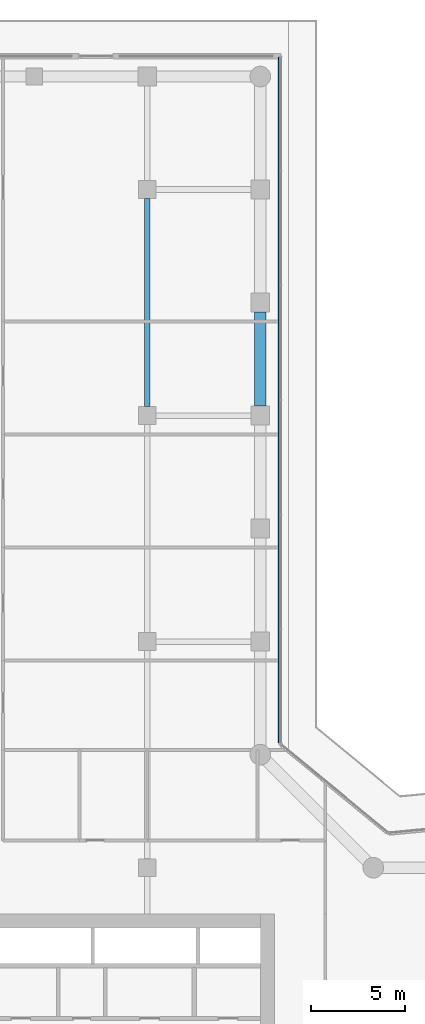
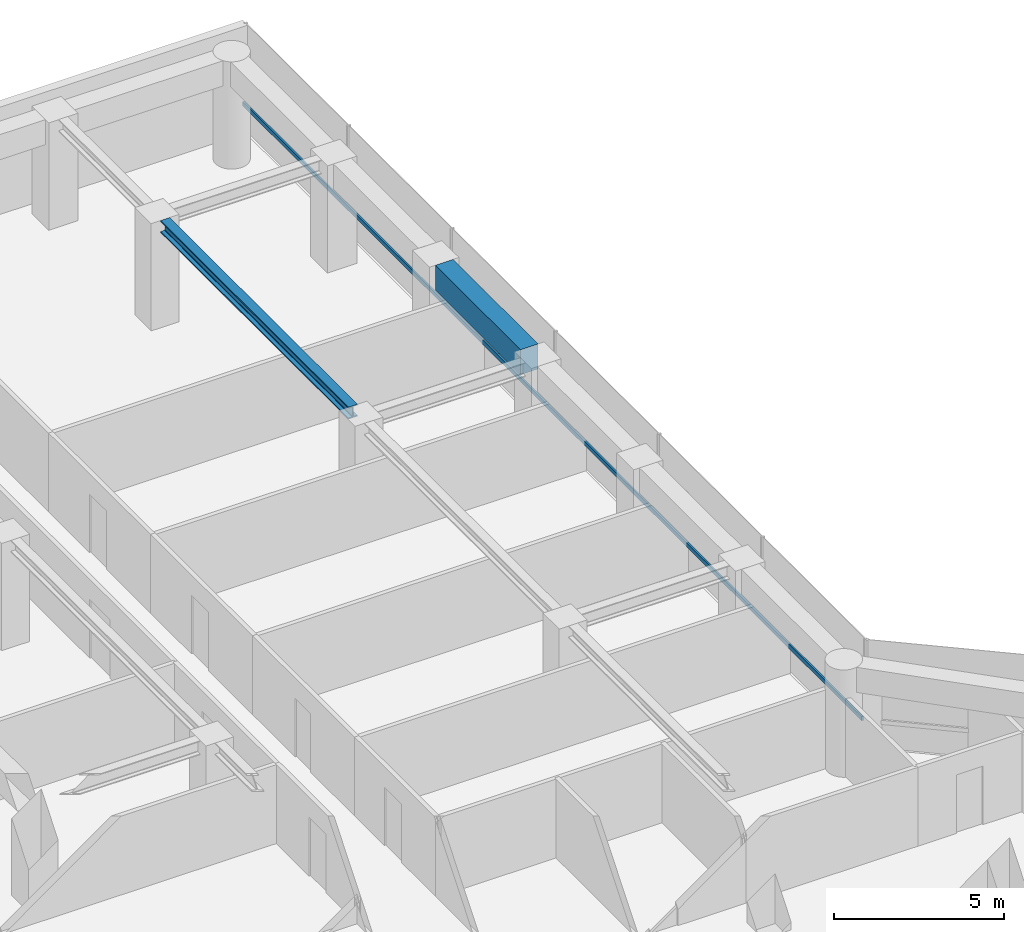
# One storey, part 16 of 28: 2 beams, 1 member, 1 element without a shape of its own.
"""IFC4 building model written with IfcOpenShell, lengths in metres."""

import ifcopenshell
import ifcopenshell.guid

model = None  # the IFC model being written
_history = None  # IfcOwnerHistory: only IFC2X3 demands one
_inside = {}  # id of a spatial element -> (the spatial element, [elements in it])
_under = {}  # id of a project, library or spatial element -> (it, [spatial elements below it])
_declared = {}  # id of a project -> (the project, [libraries it declares])
_typed = {}  # id of a type object -> (the type object, [elements of that type])
_made_of = {}  # id of a material, layer set ... -> (it, [elements and type objects made of it])


def new_model(schema):
    """Start an empty IFC model of exactly this schema.

    Asked for "IFC4X3", IfcOpenShell would pick the latest addendum, in which some entities
    have other attributes; the version numbers below select the first issue.
    IFC2X3 requires an IfcOwnerHistory on every rooted entity: one is made here for all.
    """
    global model, _history
    if schema == "IFC4X3":
        model = ifcopenshell.file(schema_version=(4, 3, 0, 0))
    else:
        model = ifcopenshell.file(schema=schema)
    _inside.clear()
    _under.clear()
    _declared.clear()
    _typed.clear()
    _made_of.clear()
    _history = None
    if model.schema == "IFC2X3":
        org = make("IfcOrganization", Name="unknown")
        user = make(
            "IfcPersonAndOrganization",
            ThePerson=make("IfcPerson", FamilyName="unknown"),
            TheOrganization=org,
        )
        app = make(
            "IfcApplication",
            ApplicationDeveloper=org,
            Version="unknown",
            ApplicationFullName="unknown",
            ApplicationIdentifier="unknown",
        )
        _history = make(
            "IfcOwnerHistory",
            OwningUser=user,
            OwningApplication=app,
            ChangeAction="ADDED",
            CreationDate=0,
        )
    return model


def make(cls, **values):
    """One entity of the class cls with the attributes given. An attribute that is None is left unset."""
    return model.create_entity(
        cls, **{name: value for name, value in values.items() if value is not None}
    )


def rooted(cls, **values):
    """An entity with a GlobalId (a new one), such as an element, a storey or a relation."""
    return make(cls, GlobalId=ifcopenshell.guid.new(), OwnerHistory=_history, **values)


def si_unit(unit_type, name, prefix=None):
    """IfcSIUnit, for example si_unit("LENGTHUNIT", "METRE", prefix="MILLI")."""
    return make("IfcSIUnit", UnitType=unit_type, Prefix=prefix, Name=name)


def assignment(units):
    """IfcUnitAssignment: the units of a project."""
    return None if units is None else make("IfcUnitAssignment", Units=units)


def point(xyz):
    """IfcCartesianPoint."""
    return None if xyz is None else make("IfcCartesianPoint", Coordinates=xyz)


def direction(xyz):
    """IfcDirection."""
    return None if xyz is None else make("IfcDirection", DirectionRatios=xyz)


def frame(location, z_axis=None, x_axis=None):
    """IfcAxis2Placement3D, a coordinate frame: its origin and axes. An axis left out is left unset."""
    return make(
        "IfcAxis2Placement3D",
        Location=point(location),
        Axis=direction(z_axis),
        RefDirection=direction(x_axis),
    )


def frame_2d(location, x_axis=None):
    """IfcAxis2Placement2D, a coordinate frame in the plane: its origin and x axis."""
    return make(
        "IfcAxis2Placement2D", Location=point(location), RefDirection=direction(x_axis)
    )


def origin():
    """The frame at (0, 0, 0) with its axes left unset."""
    return frame((0.0, 0.0, 0.0))


def origin_2d():
    """The frame at (0, 0) in the plane with its x axis left unset."""
    return frame_2d((0.0, 0.0))


def place(relative_to, where):
    """IfcLocalPlacement: puts the frame where relative to a parent placement (None: the world)."""
    return make(
        "IfcLocalPlacement", PlacementRelTo=relative_to, RelativePlacement=where
    )


def context(
    kind, dimensions, precision=None, world=None, true_north=None, identifier=None
):
    """IfcGeometricRepresentationContext, for example the 3D "Model" context."""
    return make(
        "IfcGeometricRepresentationContext",
        ContextIdentifier=identifier,
        ContextType=kind,
        CoordinateSpaceDimension=dimensions,
        Precision=precision,
        WorldCoordinateSystem=world,
        TrueNorth=true_north,
    )


def subcontext(parent, identifier, kind, view, scale=None):
    """IfcGeometricRepresentationSubContext, for example "Body" below "Model"."""
    return make(
        "IfcGeometricRepresentationSubContext",
        ContextIdentifier=identifier,
        ContextType=kind,
        ParentContext=parent,
        TargetScale=scale,
        TargetView=view,
    )


def project(units=None, contexts=None):
    """IfcProject with its units and contexts."""
    return rooted(
        "IfcProject",
        Name="project",
        RepresentationContexts=contexts,
        UnitsInContext=assignment(units),
    )


def spatial(cls, under=None, at=None, **own):
    """A site, building, storey or space (cls), placed at a placement, below another one or the project."""
    s = rooted(cls, ObjectPlacement=at, **own)
    if under is not None:
        _under.setdefault(under.id(), (under, []))[1].append(s)
    return s


def profile(cls, at=None, kind="AREA", **sizes):
    """A parametric profile (cls). Its sizes go by their IFC names, for example OverallWidth=200.0."""
    return make(cls, ProfileType=kind, Position=at, **sizes)


def rectangle(**sizes):
    """IfcRectangleProfileDef."""
    return profile("IfcRectangleProfileDef", **sizes)


def i_section(**sizes):
    """IfcIShapeProfileDef."""
    return profile("IfcIShapeProfileDef", **sizes)


def extrude(swept, where, along, depth):
    """IfcExtrudedAreaSolid: the profile swept, set in the frame where, extruded along a direction by depth."""
    return make(
        "IfcExtrudedAreaSolid",
        SweptArea=swept,
        Position=where,
        ExtrudedDirection=direction(along),
        Depth=depth,
    )


def shape(context_of_items, identifier, shape_type, items):
    """IfcShapeRepresentation: the items that make up one representation, for example the "Body"."""
    return make(
        "IfcShapeRepresentation",
        ContextOfItems=context_of_items,
        RepresentationIdentifier=identifier,
        RepresentationType=shape_type,
        Items=items,
    )


def material(Name=None, Category=None):
    """IfcMaterial."""
    return make("IfcMaterial", Name=Name, Category=Category)


def layer(
    of_material, thickness, ventilated=None, Name=None, Category=None, Priority=None
):
    """IfcMaterialLayer: one layer of a wall or slab, of a material (None: an air gap)."""
    return make(
        "IfcMaterialLayer",
        Material=of_material,
        LayerThickness=thickness,
        IsVentilated=ventilated,
        Name=Name,
        Category=Category,
        Priority=Priority,
    )


def layer_set(layers, Name=None):
    """IfcMaterialLayerSet."""
    return make("IfcMaterialLayerSet", MaterialLayers=layers, LayerSetName=Name)


def material_profile(
    of_material, cross_section, Name=None, Category=None, Priority=None
):
    """IfcMaterialProfile: a cross section and its material."""
    return make(
        "IfcMaterialProfile",
        Name=Name,
        Material=of_material,
        Profile=cross_section,
        Priority=Priority,
        Category=Category,
    )


def profile_set(profiles, Name=None, composite=None):
    """IfcMaterialProfileSet."""
    return make(
        "IfcMaterialProfileSet",
        Name=Name,
        MaterialProfiles=profiles,
        CompositeProfile=composite,
    )


def made_of(thing, what):
    """Note that an element or type object is made of a material, layer set ...; save() writes the relation."""
    if what is not None:
        _made_of.setdefault(what.id(), (what, []))[1].append(thing)
    return thing


def type_object(cls, material=None, **own):
    """A type object (cls), such as IfcWallType, which elements share."""
    return made_of(rooted(cls, **own), material)


def element(
    cls,
    number,
    at=None,
    inside=None,
    cuts=None,
    type_object=None,
    material=None,
    context=None,
    identifier="Body",
    shape_type=None,
    held_by="IfcProductDefinitionShape",
    body=None,
    shapes=None,
    **own,
):
    """One element of the class cls, such as IfcWall. Its Tag is "e" and its number.

    at: its placement. inside: the storey or other place that contains it. cuts: it is an
    opening in that element (IfcRelVoidsElement). A single representation is given by context,
    identifier, shape_type and body (its items); several are given by shapes. held_by: the class
    of the entity that holds the representations. save() writes the other relations.
    """
    e = rooted(cls, Tag="e%d" % number, ObjectPlacement=at, **own)
    if body is not None:
        shapes = [shape(context, identifier, shape_type, body)]
    if shapes is not None:
        e.Representation = make(held_by, Representations=shapes)
    if inside is not None:
        _inside.setdefault(inside.id(), (inside, []))[1].append(e)
    if cuts is not None:
        rooted(
            "IfcRelVoidsElement", RelatingBuildingElement=cuts, RelatedOpeningElement=e
        )
    if type_object is not None:
        _typed.setdefault(type_object.id(), (type_object, []))[1].append(e)
    return made_of(e, material)


def aggregate(whole, parts):
    """IfcRelAggregates: a whole, such as a stair, and the parts it consists of."""
    return rooted("IfcRelAggregates", RelatingObject=whole, RelatedObjects=parts)


def save(model, path):
    """Write the relations noted so far, then the file.

    IfcRelAggregates (storeys below a building ...), IfcRelContainedInSpatialStructure (elements
    in a storey), IfcRelDefinesByType, IfcRelAssociatesMaterial and IfcRelDeclares: one each for
    every whole, place, type object, material and project.
    """
    for whole, parts in _under.values():
        aggregate(whole, parts)
    for where, things in _inside.values():
        rooted(
            "IfcRelContainedInSpatialStructure",
            RelatedElements=things,
            RelatingStructure=where,
        )
    for kind, things in _typed.values():
        rooted("IfcRelDefinesByType", RelatedObjects=things, RelatingType=kind)
    for what, things in _made_of.values():
        rooted("IfcRelAssociatesMaterial", RelatedObjects=things, RelatingMaterial=what)
    for by, libraries in _declared.values():
        rooted("IfcRelDeclares", RelatingContext=by, RelatedDefinitions=libraries)
    model.write(path)


model = new_model("IFC4")

# Units and contexts
model_context = context("Model", 3, precision=1e-05, world=origin(), true_north=direction((0.0, 1.0)))
body_context = subcontext(model_context, "Body", "Model", "MODEL_VIEW")
ifc_project = project(units=[si_unit("LENGTHUNIT", "METRE"), si_unit("AREAUNIT", "SQUARE_METRE"), si_unit("VOLUMEUNIT", "CUBIC_METRE"), si_unit("PLANEANGLEUNIT", "RADIAN"), si_unit("MASSUNIT", "GRAM", prefix="KILO")], contexts=[model_context])

# Site, building, storey
site_placement = place(None, origin())
site = spatial("IfcSite", under=ifc_project, at=site_placement, CompositionType="ELEMENT")
building_placement = place(site_placement, origin())
building = spatial("IfcBuilding", under=site, at=building_placement, Name="Welwitschia Terrace Campus", CompositionType="ELEMENT")
storey_placement = place(building_placement, frame((0.0, 0.0, 87.800048828125)))
storey = spatial("IfcBuildingStorey", under=building, at=storey_placement, Name="L19", CompositionType="ELEMENT", Elevation=87.800048828125)

# Beams
ifc_material_1 = material(Name="Steel S355", Category="steel")
ifc_material_profile_1 = material_profile(ifc_material_1, i_section(OverallWidth=0.306884765625, OverallDepth=0.431884765625, WebThickness=0.02099609375, FlangeThickness=0.0400390625, FilletRadius=0.027099609375, at=origin_2d()))
ifc_profile_set_1 = profile_set([ifc_material_profile_1], Name="Steel S355")
beam_type_1 = type_object("IfcBeamType", Name="Interior girder HE 400 M", PredefinedType="BEAM", material=ifc_profile_set_1)
beam_1_placement = place(storey_placement, frame((18.0, 52.4755859375, 3.634033203125), z_axis=(0.0, 1.0, 0.0), x_axis=(-1.0, 0.0, 0.0)))
element("IfcBeam", 1, at=beam_1_placement, inside=storey, type_object=beam_type_1, Name="Girder GB3", PredefinedType="BEAM", context=body_context, shape_type="SweptSolid", body=[
    extrude(i_section(OverallWidth=0.306884765625, OverallDepth=0.431884765625, WebThickness=0.02099609375, FlangeThickness=0.0400390625, FilletRadius=0.027099609375, at=origin_2d()), origin(), (0.0, 0.0, 1.0), 11.048828125),
])
ifc_material_2 = material(Name="Concrete C60/75", Category="concrete")
ifc_material_profile_2 = material_profile(ifc_material_2, rectangle(XDim=0.60009765625, YDim=0.89990234375, at=origin_2d()))
ifc_profile_set_2 = profile_set([ifc_material_profile_2], Name="Concrete C60/75")
beam_type_2 = type_object("IfcBeamType", Name="Ring spandrel 600x900", PredefinedType="SPANDREL", material=ifc_profile_set_2)
beam_2_placement = place(storey_placement, frame((24.0, 52.50048828125, 3.39990234375), z_axis=(0.0, 1.0, 0.0), x_axis=(-1.0, 0.0, 0.0)))
element("IfcBeam", 2, at=beam_2_placement, inside=storey, type_object=beam_type_2, Name="Spandrel SP2", PredefinedType="SPANDREL", context=body_context, shape_type="SweptSolid", body=[
    extrude(rectangle(XDim=0.60009765625, YDim=0.89990234375, at=origin_2d()), origin(), (0.0, 0.0, 1.0), 4.9990234375),
])

# Curtain wall, member
ifc_material_3 = material(Name="Bronze anodised aluminium", Category="aluminium")
ifc_layer = layer(ifc_material_3, 0.1201171875)
ifc_layer_set = layer_set([ifc_layer], Name="Bronze anodised aluminium")
curtain_wall_type = type_object("IfcCurtainWallType", Name="Curtain wall CW2 tower 6000", PredefinedType="NOTDEFINED", material=ifc_layer_set)
curtain_wall_placement = place(storey_placement, origin())
curtain_wall = element("IfcCurtainWall", 3, at=curtain_wall_placement, inside=storey, type_object=curtain_wall_type, Name="CW L19.11.0", PredefinedType="NOTDEFINED")
ifc_material_4 = material(Name="Bronze anodised aluminium", Category="aluminium")
ifc_material_profile_3 = material_profile(ifc_material_4, rectangle(XDim=0.06005859375, YDim=0.14990234375, at=origin_2d()))
ifc_profile_set_3 = profile_set([ifc_material_profile_3], Name="Bronze anodised aluminium")
member_type = type_object("IfcMemberType", Name="Transom 60x150", PredefinedType="USERDEFINED", material=ifc_profile_set_3)
member_placement = place(storey_placement, frame((24.99609375, 34.625244140625, 1.0), z_axis=(0.0, 1.0, 0.0), x_axis=(-1.0, 0.0, 0.0)))
member = element("IfcMember", 4, at=member_placement, type_object=member_type, Name="Transom L19.11.0", ObjectType="TRANSOM", PredefinedType="USERDEFINED", context=body_context, shape_type="SweptSolid", body=[
    extrude(rectangle(XDim=0.06005859375, YDim=0.14990234375, at=origin_2d()), origin(), (0.0, 0.0, 1.0), 36.400634765625),
])
aggregate(curtain_wall, [member])

save(model, "model.ifc")
